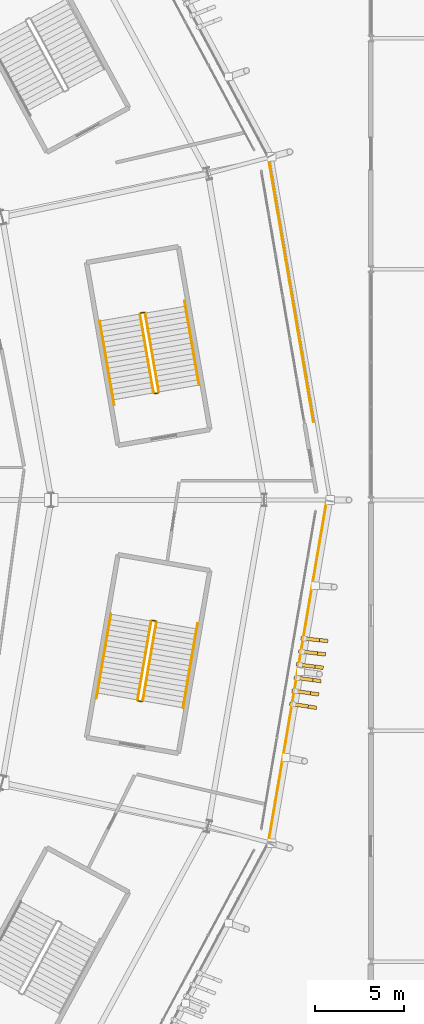
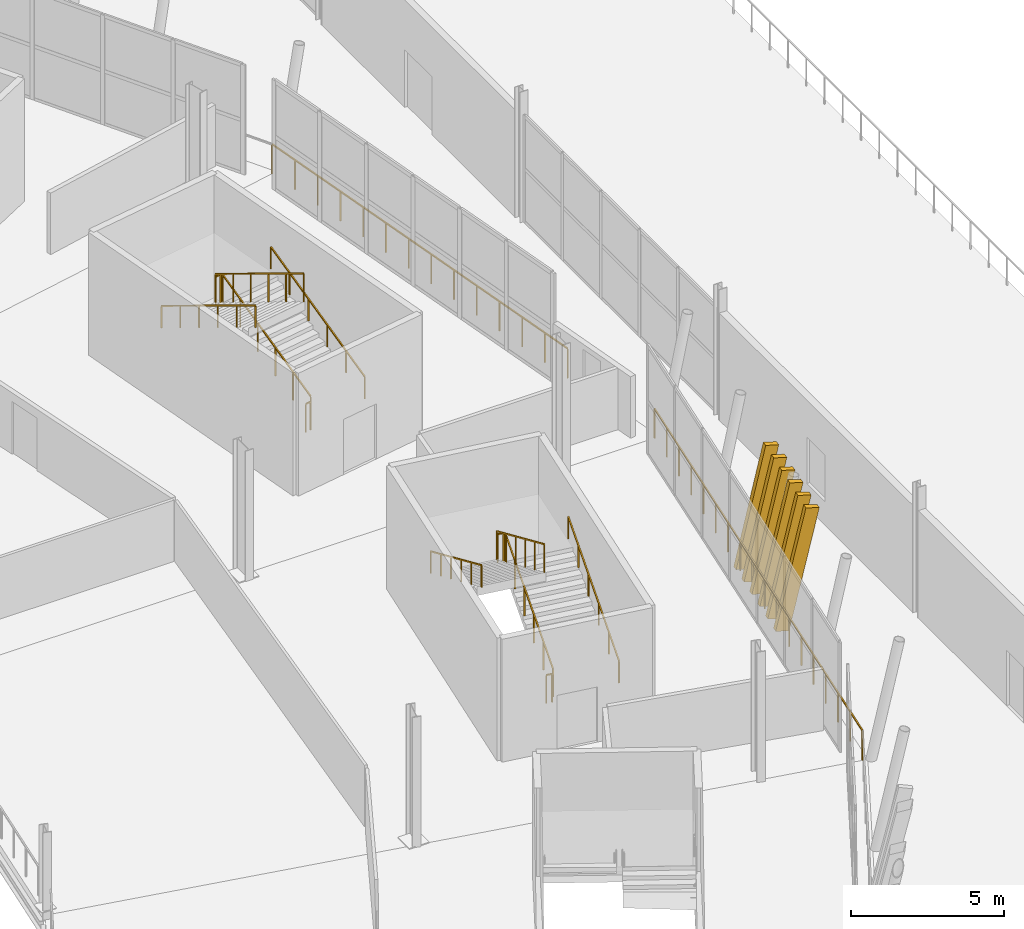
# One storey, part 159 of 168: 14 railings, 6 shading devices.
"""IFC4 building model written with IfcOpenShell, lengths in metres."""

from ifc_helpers import new_model, si_unit, direction, frame, origin, origin_2d, place, context, subcontext, project, spatial, rectangle, extrude, material, material_profile, profile_set, type_object, element, save


model = new_model("IFC4")

# Units and contexts
model_context = context("Model", 3, precision=1e-05, world=origin(), true_north=direction((0.0, 1.0)))
body_context = subcontext(model_context, "Body", "Model", "MODEL_VIEW")
ifc_project = project(units=[si_unit("LENGTHUNIT", "METRE"), si_unit("AREAUNIT", "SQUARE_METRE"), si_unit("VOLUMEUNIT", "CUBIC_METRE"), si_unit("PLANEANGLEUNIT", "RADIAN"), si_unit("MASSUNIT", "GRAM", prefix="KILO")], contexts=[model_context])

# Site, building, storey
site_placement = place(None, origin())
site = spatial("IfcSite", under=ifc_project, at=site_placement, CompositionType="ELEMENT")
building_placement = place(site_placement, origin())
building = spatial("IfcBuilding", under=site, at=building_placement, Name="Zlatoyarsky Gate Stadium", CompositionType="ELEMENT")
storey_placement = place(building_placement, frame((0.0, 0.0, 15.60009765625)))
storey = spatial("IfcBuildingStorey", under=building, at=storey_placement, Name="L03", CompositionType="ELEMENT", Elevation=15.60009765625)

# Railings
ifc_material_1 = material(Name="Powder-coated steel tubular guardrail", Category="steel")
railing_type_1 = type_object("IfcRailingType", Name="CONCOURSE SLAB EDGE GUARDRAIL 1200", PredefinedType="GUARDRAIL", material=ifc_material_1)
railing_1_placement = place(storey_placement, frame((206.774169921875, 84.38671875, 0.0)))
element("IfcRailing", 1, at=railing_1_placement, inside=storey, type_object=railing_type_1, Name="L03 outer slab edge guardrail 00", PredefinedType="GUARDRAIL", context=body_context, shape_type="SweptSolid", body=[
    extrude(rectangle(XDim=0.048095703125, YDim=0.048095703125, at=origin_2d()), frame((0.0, 0.0, 1.17578125), z_axis=(-0.168082874377, 0.985772868029, 0.0), x_axis=(-0.985772868029, -0.168082874377, 0.0)), (0.0, 0.0, 1.0), 15.1162109375),
    extrude(rectangle(XDim=0.0419921875, YDim=0.0419921875, at=origin_2d()), origin(), (0.0, 0.0, 1.0), 1.15185546875),
    extrude(rectangle(XDim=0.0419921875, YDim=0.0419921875, at=origin_2d()), frame((-0.195556640625, 1.146240234375, 0.0)), (0.0, 0.0, 1.0), 1.15185546875),
    extrude(rectangle(XDim=0.0419921875, YDim=0.0419921875, at=origin_2d()), frame((-0.390869140625, 2.29248046875, 0.0)), (0.0, 0.0, 1.0), 1.15185546875),
    extrude(rectangle(XDim=0.0419921875, YDim=0.0419921875, at=origin_2d()), frame((-0.58642578125, 3.438720703125, 0.0)), (0.0, 0.0, 1.0), 1.15185546875),
    extrude(rectangle(XDim=0.0419921875, YDim=0.0419921875, at=origin_2d()), frame((-0.78173828125, 4.5849609375, 0.0)), (0.0, 0.0, 1.0), 1.15185546875),
    extrude(rectangle(XDim=0.0419921875, YDim=0.0419921875, at=origin_2d()), frame((-0.977294921875, 5.731201171875, 0.0)), (0.0, 0.0, 1.0), 1.15185546875),
    extrude(rectangle(XDim=0.0419921875, YDim=0.0419921875, at=origin_2d()), frame((-1.172607421875, 6.87744140625, 0.0)), (0.0, 0.0, 1.0), 1.15185546875),
    extrude(rectangle(XDim=0.0419921875, YDim=0.0419921875, at=origin_2d()), frame((-1.3681640625, 8.023681640625, 0.0)), (0.0, 0.0, 1.0), 1.15185546875),
    extrude(rectangle(XDim=0.0419921875, YDim=0.0419921875, at=origin_2d()), frame((-1.5634765625, 9.169921875, 0.0)), (0.0, 0.0, 1.0), 1.15185546875),
    extrude(rectangle(XDim=0.0419921875, YDim=0.0419921875, at=origin_2d()), frame((-1.759033203125, 10.316162109375, 0.0)), (0.0, 0.0, 1.0), 1.15185546875),
    extrude(rectangle(XDim=0.0419921875, YDim=0.0419921875, at=origin_2d()), frame((-1.954345703125, 11.46240234375, 0.0)), (0.0, 0.0, 1.0), 1.15185546875),
    extrude(rectangle(XDim=0.0419921875, YDim=0.0419921875, at=origin_2d()), frame((-2.14990234375, 12.608642578125, 0.0)), (0.0, 0.0, 1.0), 1.15185546875),
    extrude(rectangle(XDim=0.0419921875, YDim=0.0419921875, at=origin_2d()), frame((-2.34521484375, 13.7548828125, 0.0)), (0.0, 0.0, 1.0), 1.15185546875),
    extrude(rectangle(XDim=0.0419921875, YDim=0.0419921875, at=origin_2d()), frame((-2.540771484375, 14.901123046875, 0.0)), (0.0, 0.0, 1.0), 1.15185546875),
])
railing_2_placement = place(storey_placement, frame((204.2333984375, 60.712158203125, 0.0)))
element("IfcRailing", 2, at=railing_2_placement, inside=storey, type_object=railing_type_1, Name="L03 outer slab edge guardrail 23", PredefinedType="GUARDRAIL", context=body_context, shape_type="SweptSolid", body=[
    extrude(rectangle(XDim=0.048095703125, YDim=0.048095703125, at=origin_2d()), frame((0.0, 0.0, 1.17578125), z_axis=(0.168086502679, 0.985772249364, 0.0), x_axis=(-0.985772249364, 0.168086502679, 0.0)), (0.0, 0.0, 1.0), 19.566162109375),
    extrude(rectangle(XDim=0.0419921875, YDim=0.0419921875, at=origin_2d()), origin(), (0.0, 0.0, 1.0), 1.15185546875),
    extrude(rectangle(XDim=0.0419921875, YDim=0.0419921875, at=origin_2d()), frame((0.193359375, 1.134521484375, 0.0)), (0.0, 0.0, 1.0), 1.15185546875),
    extrude(rectangle(XDim=0.0419921875, YDim=0.0419921875, at=origin_2d()), frame((0.386962890625, 2.26904296875, 0.0)), (0.0, 0.0, 1.0), 1.15185546875),
    extrude(rectangle(XDim=0.0419921875, YDim=0.0419921875, at=origin_2d()), frame((0.580322265625, 3.40380859375, 0.0)), (0.0, 0.0, 1.0), 1.15185546875),
    extrude(rectangle(XDim=0.0419921875, YDim=0.0419921875, at=origin_2d()), frame((0.77392578125, 4.538330078125, 0.0)), (0.0, 0.0, 1.0), 1.15185546875),
    extrude(rectangle(XDim=0.0419921875, YDim=0.0419921875, at=origin_2d()), frame((0.96728515625, 5.6728515625, 0.0)), (0.0, 0.0, 1.0), 1.15185546875),
    extrude(rectangle(XDim=0.0419921875, YDim=0.0419921875, at=origin_2d()), frame((1.16064453125, 6.807373046875, 0.0)), (0.0, 0.0, 1.0), 1.15185546875),
    extrude(rectangle(XDim=0.0419921875, YDim=0.0419921875, at=origin_2d()), frame((1.354248046875, 7.942138671875, 0.0)), (0.0, 0.0, 1.0), 1.15185546875),
    extrude(rectangle(XDim=0.0419921875, YDim=0.0419921875, at=origin_2d()), frame((1.547607421875, 9.07666015625, 0.0)), (0.0, 0.0, 1.0), 1.15185546875),
    extrude(rectangle(XDim=0.0419921875, YDim=0.0419921875, at=origin_2d()), frame((1.7412109375, 10.211181640625, 0.0)), (0.0, 0.0, 1.0), 1.15185546875),
    extrude(rectangle(XDim=0.0419921875, YDim=0.0419921875, at=origin_2d()), frame((1.9345703125, 11.345703125, 0.0)), (0.0, 0.0, 1.0), 1.15185546875),
    extrude(rectangle(XDim=0.0419921875, YDim=0.0419921875, at=origin_2d()), frame((2.128173828125, 12.48046875, 0.0)), (0.0, 0.0, 1.0), 1.15185546875),
    extrude(rectangle(XDim=0.0419921875, YDim=0.0419921875, at=origin_2d()), frame((2.321533203125, 13.614990234375, 0.0)), (0.0, 0.0, 1.0), 1.15185546875),
    extrude(rectangle(XDim=0.0419921875, YDim=0.0419921875, at=origin_2d()), frame((2.514892578125, 14.74951171875, 0.0)), (0.0, 0.0, 1.0), 1.15185546875),
    extrude(rectangle(XDim=0.0419921875, YDim=0.0419921875, at=origin_2d()), frame((2.70849609375, 15.884033203125, 0.0)), (0.0, 0.0, 1.0), 1.15185546875),
    extrude(rectangle(XDim=0.0419921875, YDim=0.0419921875, at=origin_2d()), frame((2.90185546875, 17.018798828125, 0.0)), (0.0, 0.0, 1.0), 1.15185546875),
    extrude(rectangle(XDim=0.0419921875, YDim=0.0419921875, at=origin_2d()), frame((3.095458984375, 18.1533203125, 0.0)), (0.0, 0.0, 1.0), 1.15185546875),
    extrude(rectangle(XDim=0.0419921875, YDim=0.0419921875, at=origin_2d()), frame((3.288818359375, 19.287841796875, 0.0)), (0.0, 0.0, 1.0), 1.15185546875),
])
ifc_material_2 = material(Name="Powder-coated steel stair guardrail", Category="steel")
railing_type_2 = type_object("IfcRailingType", Name="PAINTED STEEL STAIR WELL GUARDRAIL 1150", PredefinedType="GUARDRAIL", material=ifc_material_2)
railing_3_placement = place(storey_placement, frame((198.0595703125, 86.085693359375, 0.162353515625)))
element("IfcRailing", 3, at=railing_3_placement, inside=storey, type_object=railing_type_2, Name="ST-01 L03 stair guard 1", PredefinedType="GUARDRAIL", context=body_context, shape_type="SweptSolid", body=[
    extrude(rectangle(XDim=0.048095703125, YDim=0.048095703125, at=origin_2d()), frame((0.0, 0.0, 1.1259765625), z_axis=(-0.149410651291, 0.866505450206, 0.476282229402), x_axis=(-0.985457609709, -0.16992145087, 0.0)), (0.0, 0.0, 1.0), 5.11767578125),
    extrude(rectangle(XDim=0.0419921875, YDim=0.0419921875, at=origin_2d()), origin(), (0.0, 0.0, 1.0), 1.101806640625),
    extrude(rectangle(XDim=0.0419921875, YDim=0.0419921875, at=origin_2d()), frame((-0.15283203125, 0.886962890625, 0.487548828125)), (0.0, 0.0, 1.0), 1.101806640625),
    extrude(rectangle(XDim=0.0419921875, YDim=0.0419921875, at=origin_2d()), frame((-0.305908203125, 1.77392578125, 0.97509765625)), (0.0, 0.0, 1.0), 1.101806640625),
    extrude(rectangle(XDim=0.0419921875, YDim=0.0419921875, at=origin_2d()), frame((-0.458740234375, 2.66064453125, 1.46240234375)), (0.0, 0.0, 1.0), 1.101806640625),
    extrude(rectangle(XDim=0.0419921875, YDim=0.0419921875, at=origin_2d()), frame((-0.61181640625, 3.547607421875, 1.949951171875)), (0.0, 0.0, 1.0), 1.101806640625),
    extrude(rectangle(XDim=0.0419921875, YDim=0.0419921875, at=origin_2d()), frame((-0.7646484375, 4.4345703125, 2.4375)), (0.0, 0.0, 1.0), 1.101806640625),
])
railing_4_placement = place(storey_placement, frame((197.237060546875, 90.56103515625, 2.599853515625)))
element("IfcRailing", 4, at=railing_4_placement, inside=storey, type_object=railing_type_2, Name="ST-01 L03 stair guard 2", PredefinedType="GUARDRAIL", context=body_context, shape_type="SweptSolid", body=[
    extrude(rectangle(XDim=0.048095703125, YDim=0.048095703125, at=origin_2d()), frame((0.0, 0.0, 1.1259765625), z_axis=(-0.985488304827, -0.16974333875, 0.0), x_axis=(0.16974333875, -0.985488304827, 0.0)), (0.0, 0.0, 1.0), 0.199951171875),
    extrude(rectangle(XDim=0.0419921875, YDim=0.0419921875, at=origin_2d()), origin(), (0.0, 0.0, 1.0), 1.101806640625),
    extrude(rectangle(XDim=0.0419921875, YDim=0.0419921875, at=origin_2d()), frame((-0.197021484375, -0.033935546875, 0.0)), (0.0, 0.0, 1.0), 1.101806640625),
])
railing_5_placement = place(storey_placement, frame((196.999267578125, 90.469482421875, 2.762451171875)))
element("IfcRailing", 5, at=railing_5_placement, inside=storey, type_object=railing_type_2, Name="ST-01 L03 stair guard 3", PredefinedType="GUARDRAIL", context=body_context, shape_type="SweptSolid", body=[
    extrude(rectangle(XDim=0.048095703125, YDim=0.048095703125, at=origin_2d()), frame((0.0, 0.0, 1.1259765625), z_axis=(0.149410651291, -0.866505450206, 0.476282229402), x_axis=(0.985457609709, 0.16992145087, 0.0)), (0.0, 0.0, 1.0), 5.11767578125),
    extrude(rectangle(XDim=0.0419921875, YDim=0.0419921875, at=origin_2d()), origin(), (0.0, 0.0, 1.0), 1.101806640625),
    extrude(rectangle(XDim=0.0419921875, YDim=0.0419921875, at=origin_2d()), frame((0.15283203125, -0.886962890625, 0.487548828125)), (0.0, 0.0, 1.0), 1.101806640625),
    extrude(rectangle(XDim=0.0419921875, YDim=0.0419921875, at=origin_2d()), frame((0.305908203125, -1.77392578125, 0.97509765625)), (0.0, 0.0, 1.0), 1.101806640625),
    extrude(rectangle(XDim=0.0419921875, YDim=0.0419921875, at=origin_2d()), frame((0.458740234375, -2.66064453125, 1.46240234375)), (0.0, 0.0, 1.0), 1.101806640625),
    extrude(rectangle(XDim=0.0419921875, YDim=0.0419921875, at=origin_2d()), frame((0.61181640625, -3.547607421875, 1.949951171875)), (0.0, 0.0, 1.0), 1.101806640625),
    extrude(rectangle(XDim=0.0419921875, YDim=0.0419921875, at=origin_2d()), frame((0.7646484375, -4.4345703125, 2.4375)), (0.0, 0.0, 1.0), 1.101806640625),
])
railing_6_placement = place(storey_placement, frame((198.018798828125, 86.028076171875, 0.0)))
element("IfcRailing", 6, at=railing_6_placement, inside=storey, type_object=railing_type_2, Name="ST-01 L03 stair guard 4", PredefinedType="GUARDRAIL", context=body_context, shape_type="SweptSolid", body=[
    extrude(rectangle(XDim=0.048095703125, YDim=0.048095703125, at=origin_2d()), frame((0.0, 0.0, 1.1259765625), z_axis=(-0.985488304827, -0.16974333875, 0.0), x_axis=(0.16974333875, -0.985488304827, 0.0)), (0.0, 0.0, 1.0), 0.199951171875),
    extrude(rectangle(XDim=0.0419921875, YDim=0.0419921875, at=origin_2d()), origin(), (0.0, 0.0, 1.0), 1.101806640625),
    extrude(rectangle(XDim=0.0419921875, YDim=0.0419921875, at=origin_2d()), frame((-0.197021484375, -0.033935546875, 0.0)), (0.0, 0.0, 1.0), 1.101806640625),
])
railing_7_placement = place(storey_placement, frame((197.158935546875, 68.69140625, 0.162353515625)))
element("IfcRailing", 7, at=railing_7_placement, inside=storey, type_object=railing_type_2, Name="ST-20 L03 stair guard 1", PredefinedType="GUARDRAIL", context=body_context, shape_type="SweptSolid", body=[
    extrude(rectangle(XDim=0.048095703125, YDim=0.048095703125, at=origin_2d()), frame((0.0, 0.0, 1.1259765625), z_axis=(0.149410651291, 0.866505450206, 0.476282229402), x_axis=(-0.985457609709, 0.16992145087, 0.0)), (0.0, 0.0, 1.0), 5.11767578125),
    extrude(rectangle(XDim=0.0419921875, YDim=0.0419921875, at=origin_2d()), origin(), (0.0, 0.0, 1.0), 1.101806640625),
    extrude(rectangle(XDim=0.0419921875, YDim=0.0419921875, at=origin_2d()), frame((0.15283203125, 0.886962890625, 0.487548828125)), (0.0, 0.0, 1.0), 1.101806640625),
    extrude(rectangle(XDim=0.0419921875, YDim=0.0419921875, at=origin_2d()), frame((0.305908203125, 1.77392578125, 0.97509765625)), (0.0, 0.0, 1.0), 1.101806640625),
    extrude(rectangle(XDim=0.0419921875, YDim=0.0419921875, at=origin_2d()), frame((0.458740234375, 2.66064453125, 1.46240234375)), (0.0, 0.0, 1.0), 1.101806640625),
    extrude(rectangle(XDim=0.0419921875, YDim=0.0419921875, at=origin_2d()), frame((0.61181640625, 3.547607421875, 1.949951171875)), (0.0, 0.0, 1.0), 1.101806640625),
    extrude(rectangle(XDim=0.0419921875, YDim=0.0419921875, at=origin_2d()), frame((0.7646484375, 4.4345703125, 2.4375)), (0.0, 0.0, 1.0), 1.101806640625),
])
railing_8_placement = place(storey_placement, frame((197.8828125, 73.18359375, 2.599853515625)))
element("IfcRailing", 8, at=railing_8_placement, inside=storey, type_object=railing_type_2, Name="ST-20 L03 stair guard 2", PredefinedType="GUARDRAIL", context=body_context, shape_type="SweptSolid", body=[
    extrude(rectangle(XDim=0.048095703125, YDim=0.048095703125, at=origin_2d()), frame((0.0, 0.0, 1.1259765625), z_axis=(-0.985488304827, 0.16974333875, 0.0), x_axis=(-0.16974333875, -0.985488304827, 0.0)), (0.0, 0.0, 1.0), 0.199951171875),
    extrude(rectangle(XDim=0.0419921875, YDim=0.0419921875, at=origin_2d()), origin(), (0.0, 0.0, 1.0), 1.101806640625),
    extrude(rectangle(XDim=0.0419921875, YDim=0.0419921875, at=origin_2d()), frame((-0.197021484375, 0.033935546875, 0.0)), (0.0, 0.0, 1.0), 1.101806640625),
])
railing_9_placement = place(storey_placement, frame((197.6279296875, 73.1767578125, 2.762451171875)))
element("IfcRailing", 9, at=railing_9_placement, inside=storey, type_object=railing_type_2, Name="ST-20 L03 stair guard 3", PredefinedType="GUARDRAIL", context=body_context, shape_type="SweptSolid", body=[
    extrude(rectangle(XDim=0.048095703125, YDim=0.048095703125, at=origin_2d()), frame((0.0, 0.0, 1.1259765625), z_axis=(-0.149410651291, -0.866505450206, 0.476282229402), x_axis=(0.985457609709, -0.16992145087, 0.0)), (0.0, 0.0, 1.0), 5.11767578125),
    extrude(rectangle(XDim=0.0419921875, YDim=0.0419921875, at=origin_2d()), origin(), (0.0, 0.0, 1.0), 1.101806640625),
    extrude(rectangle(XDim=0.0419921875, YDim=0.0419921875, at=origin_2d()), frame((-0.15283203125, -0.886962890625, 0.487548828125)), (0.0, 0.0, 1.0), 1.101806640625),
    extrude(rectangle(XDim=0.0419921875, YDim=0.0419921875, at=origin_2d()), frame((-0.305908203125, -1.77392578125, 0.97509765625)), (0.0, 0.0, 1.0), 1.101806640625),
    extrude(rectangle(XDim=0.0419921875, YDim=0.0419921875, at=origin_2d()), frame((-0.458740234375, -2.66064453125, 1.46240234375)), (0.0, 0.0, 1.0), 1.101806640625),
    extrude(rectangle(XDim=0.0419921875, YDim=0.0419921875, at=origin_2d()), frame((-0.61181640625, -3.547607421875, 1.949951171875)), (0.0, 0.0, 1.0), 1.101806640625),
    extrude(rectangle(XDim=0.0419921875, YDim=0.0419921875, at=origin_2d()), frame((-0.7646484375, -4.4345703125, 2.4375)), (0.0, 0.0, 1.0), 1.101806640625),
])
railing_10_placement = place(storey_placement, frame((197.10107421875, 68.650634765625, 0.0)))
element("IfcRailing", 10, at=railing_10_placement, inside=storey, type_object=railing_type_2, Name="ST-20 L03 stair guard 4", PredefinedType="GUARDRAIL", context=body_context, shape_type="SweptSolid", body=[
    extrude(rectangle(XDim=0.048095703125, YDim=0.048095703125, at=origin_2d()), frame((0.0, 0.0, 1.1259765625), z_axis=(-0.985488304827, 0.16974333875, 0.0), x_axis=(-0.16974333875, -0.985488304827, 0.0)), (0.0, 0.0, 1.0), 0.199951171875),
    extrude(rectangle(XDim=0.0419921875, YDim=0.0419921875, at=origin_2d()), origin(), (0.0, 0.0, 1.0), 1.101806640625),
    extrude(rectangle(XDim=0.0419921875, YDim=0.0419921875, at=origin_2d()), frame((-0.197021484375, 0.033935546875, 0.0)), (0.0, 0.0, 1.0), 1.101806640625),
])

# Shading devices
ifc_material_3 = material(Name="Precast concrete C40/50 stone-toned architectural rib", Category="masonry")
ifc_material_profile = material_profile(ifc_material_3, rectangle(XDim=0.199951171875, YDim=0.47998046875, at=origin_2d()), Name="RIB 200X480")
ifc_profile_set = profile_set([ifc_material_profile], Name="Precast concrete C40/50 stone-toned architectural rib")
shading_device_type = type_object("IfcShadingDeviceType", Name="PRECAST FLUTED GATE LOUVRE BLADE 200X480", PredefinedType="SHUTTER", material=ifc_profile_set)
for number, where, z_axis, x_axis, name in (
    (11, (205.660888671875, 68.494873046875, -0.010009765625), (0.218867746406, -0.034434374668, 0.975146749687), (0.155417858093, 0.987848819094, 0.0), "Leaning bowl louvre fin L03-23-1"),
    (12, (205.787109375, 69.234130859375, -0.010009765625), (0.219078345427, -0.032238441223, 0.975174528724), (0.145586982849, 0.989345455554, 0.0), "Leaning bowl louvre fin L03-23-2"),
    (13, (205.9130859375, 69.973388671875, -0.010009765625), (0.219385492914, -0.029990518011, 0.975177201502), (0.135442687994, 0.990785182706, 0.0), "Leaning bowl louvre fin L03-23-3"),
    (14, (206.0390625, 70.712890625, -0.010009765625), (0.219739823832, -0.027793179299, 0.975162524407), (0.125482477286, 0.992095836043, 0.0), "Leaning bowl louvre fin L03-23-4"),
    (15, (206.1650390625, 71.4521484375, -0.010009765625), (0.219995821375, -0.025596355436, 0.975164942543), (0.115569667391, 0.993299376814, 0.0), "Leaning bowl louvre fin L03-23-5"),
    (16, (206.291015625, 72.19140625, -0.010009765625), (0.220299617052, -0.023348080935, 0.97515278077), (0.105393043703, 0.994430644308, 0.0), "Leaning bowl louvre fin L03-23-6"),
):
    element("IfcShadingDevice", number, at=place(storey_placement, frame(where, z_axis=z_axis, x_axis=x_axis)), inside=storey, type_object=shading_device_type, Name=name, PredefinedType="SHUTTER", context=body_context, shape_type="SweptSolid", body=[
        extrude(rectangle(XDim=0.199951171875, YDim=0.47998046875, at=origin_2d()), origin(), (0.0, 0.0, 1.0), 4.778564453125),
    ])

# Railings
ifc_material_4 = material(Name="Brushed stainless steel 316 handrail", Category="steel")
railing_type_3 = type_object("IfcRailingType", Name="STAINLESS STEEL TUBULAR HANDRAIL 900", PredefinedType="HANDRAIL", material=ifc_material_4)
railing_11_placement = place(storey_placement, frame((200.326171875, 86.4765625, 0.16650390625)))
element("IfcRailing", 17, at=railing_11_placement, inside=storey, type_object=railing_type_3, Name="ST-01 L03 stair handrail 1", PredefinedType="HANDRAIL", context=body_context, shape_type="SweptSolid", body=[
    extrude(rectangle(XDim=0.048095703125, YDim=0.048095703125, at=origin_2d()), frame((0.0, 0.0, 0.8759765625), z_axis=(-0.149420919788, 0.866516109218, 0.476259615332), x_axis=(-0.985456004189, -0.169930761806, 0.0)), (0.0, 0.0, 1.0), 5.458984375),
    extrude(rectangle(XDim=0.0419921875, YDim=0.0419921875, at=origin_2d()), origin(), (0.0, 0.0, 1.0), 0.851806640625),
    extrude(rectangle(XDim=0.0419921875, YDim=0.0419921875, at=origin_2d()), frame((-0.1630859375, 0.946044921875, 0.52001953125)), (0.0, 0.0, 1.0), 0.851806640625),
    extrude(rectangle(XDim=0.0419921875, YDim=0.0419921875, at=origin_2d()), frame((-0.326171875, 1.89208984375, 1.0400390625)), (0.0, 0.0, 1.0), 0.851806640625),
    extrude(rectangle(XDim=0.0419921875, YDim=0.0419921875, at=origin_2d()), frame((-0.489501953125, 2.838134765625, 1.559814453125)), (0.0, 0.0, 1.0), 0.851806640625),
    extrude(rectangle(XDim=0.0419921875, YDim=0.0419921875, at=origin_2d()), frame((-0.652587890625, 3.7841796875, 2.079833984375)), (0.0, 0.0, 1.0), 0.851806640625),
    extrude(rectangle(XDim=0.0419921875, YDim=0.0419921875, at=origin_2d()), frame((-0.815673828125, 4.730224609375, 2.599853515625)), (0.0, 0.0, 1.0), 0.851806640625),
])
railing_12_placement = place(storey_placement, frame((194.732666015625, 90.07861328125, 2.766357421875)))
element("IfcRailing", 18, at=railing_12_placement, inside=storey, type_object=railing_type_3, Name="ST-01 L03 stair handrail 2", PredefinedType="HANDRAIL", context=body_context, shape_type="SweptSolid", body=[
    extrude(rectangle(XDim=0.048095703125, YDim=0.048095703125, at=origin_2d()), frame((0.0, 0.0, 0.8759765625), z_axis=(0.149417737082, -0.866497652186, 0.476294193331), x_axis=(0.985456004189, 0.169930761806, 0.0)), (0.0, 0.0, 1.0), 5.458984375),
    extrude(rectangle(XDim=0.0419921875, YDim=0.0419921875, at=origin_2d()), origin(), (0.0, 0.0, 1.0), 0.851806640625),
    extrude(rectangle(XDim=0.0419921875, YDim=0.0419921875, at=origin_2d()), frame((0.1630859375, -0.946044921875, 0.52001953125)), (0.0, 0.0, 1.0), 0.851806640625),
    extrude(rectangle(XDim=0.0419921875, YDim=0.0419921875, at=origin_2d()), frame((0.326171875, -1.89208984375, 1.0400390625)), (0.0, 0.0, 1.0), 0.851806640625),
    extrude(rectangle(XDim=0.0419921875, YDim=0.0419921875, at=origin_2d()), frame((0.489501953125, -2.838134765625, 1.56005859375)), (0.0, 0.0, 1.0), 0.851806640625),
    extrude(rectangle(XDim=0.0419921875, YDim=0.0419921875, at=origin_2d()), frame((0.652587890625, -3.7841796875, 2.080078125)), (0.0, 0.0, 1.0), 0.851806640625),
    extrude(rectangle(XDim=0.0419921875, YDim=0.0419921875, at=origin_2d()), frame((0.815673828125, -4.730224609375, 2.60009765625)), (0.0, 0.0, 1.0), 0.851806640625),
])
railing_13_placement = place(storey_placement, frame((199.425537109375, 68.300537109375, 0.16650390625)))
element("IfcRailing", 19, at=railing_13_placement, inside=storey, type_object=railing_type_3, Name="ST-20 L03 stair handrail 1", PredefinedType="HANDRAIL", context=body_context, shape_type="SweptSolid", body=[
    extrude(rectangle(XDim=0.048095703125, YDim=0.048095703125, at=origin_2d()), frame((0.0, 0.0, 0.8759765625), z_axis=(0.149420919788, 0.866516109218, 0.476259615332), x_axis=(-0.985456004189, 0.169930761806, 0.0)), (0.0, 0.0, 1.0), 5.458984375),
    extrude(rectangle(XDim=0.0419921875, YDim=0.0419921875, at=origin_2d()), origin(), (0.0, 0.0, 1.0), 0.851806640625),
    extrude(rectangle(XDim=0.0419921875, YDim=0.0419921875, at=origin_2d()), frame((0.1630859375, 0.946044921875, 0.52001953125)), (0.0, 0.0, 1.0), 0.851806640625),
    extrude(rectangle(XDim=0.0419921875, YDim=0.0419921875, at=origin_2d()), frame((0.326171875, 1.89208984375, 1.0400390625)), (0.0, 0.0, 1.0), 0.851806640625),
    extrude(rectangle(XDim=0.0419921875, YDim=0.0419921875, at=origin_2d()), frame((0.489501953125, 2.838134765625, 1.559814453125)), (0.0, 0.0, 1.0), 0.851806640625),
    extrude(rectangle(XDim=0.0419921875, YDim=0.0419921875, at=origin_2d()), frame((0.652587890625, 3.7841796875, 2.079833984375)), (0.0, 0.0, 1.0), 0.851806640625),
    extrude(rectangle(XDim=0.0419921875, YDim=0.0419921875, at=origin_2d()), frame((0.815673828125, 4.730224609375, 2.599853515625)), (0.0, 0.0, 1.0), 0.851806640625),
])
railing_14_placement = place(storey_placement, frame((195.361572265625, 73.567626953125, 2.766357421875)))
element("IfcRailing", 20, at=railing_14_placement, inside=storey, type_object=railing_type_3, Name="ST-20 L03 stair handrail 2", PredefinedType="HANDRAIL", context=body_context, shape_type="SweptSolid", body=[
    extrude(rectangle(XDim=0.048095703125, YDim=0.048095703125, at=origin_2d()), frame((0.0, 0.0, 0.8759765625), z_axis=(-0.149461460644, -0.866491861156, 0.476291010132), x_axis=(0.985447485669, -0.169980154689, 0.0)), (0.0, 0.0, 1.0), 5.458984375),
    extrude(rectangle(XDim=0.0419921875, YDim=0.0419921875, at=origin_2d()), origin(), (0.0, 0.0, 1.0), 0.851806640625),
    extrude(rectangle(XDim=0.0419921875, YDim=0.0419921875, at=origin_2d()), frame((-0.1630859375, -0.946044921875, 0.52001953125)), (0.0, 0.0, 1.0), 0.851806640625),
    extrude(rectangle(XDim=0.0419921875, YDim=0.0419921875, at=origin_2d()), frame((-0.326416015625, -1.89208984375, 1.0400390625)), (0.0, 0.0, 1.0), 0.851806640625),
    extrude(rectangle(XDim=0.0419921875, YDim=0.0419921875, at=origin_2d()), frame((-0.489501953125, -2.838134765625, 1.56005859375)), (0.0, 0.0, 1.0), 0.851806640625),
    extrude(rectangle(XDim=0.0419921875, YDim=0.0419921875, at=origin_2d()), frame((-0.65283203125, -3.7841796875, 2.080078125)), (0.0, 0.0, 1.0), 0.851806640625),
    extrude(rectangle(XDim=0.0419921875, YDim=0.0419921875, at=origin_2d()), frame((-0.81591796875, -4.730224609375, 2.60009765625)), (0.0, 0.0, 1.0), 0.851806640625),
])

save(model, "model.ifc")
